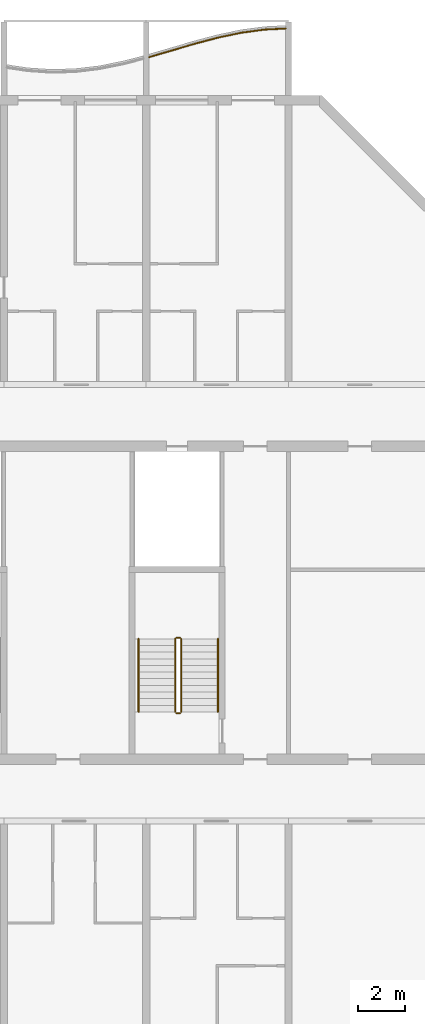
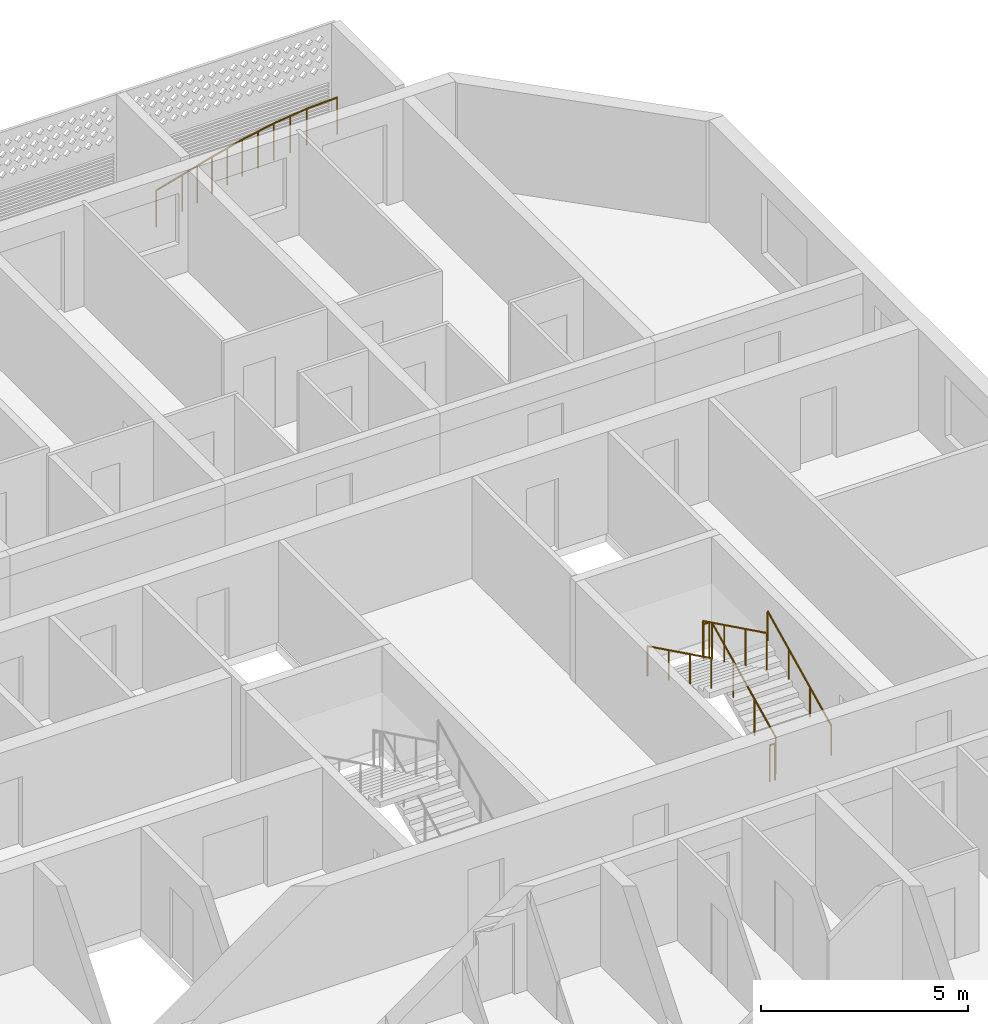
# One storey, part 31 of 32: 7 railings.
"""IFC4 building model written with IfcOpenShell, lengths in metres."""

from ifc_helpers import new_model, si_unit, direction, frame, origin, origin_2d, place, context, subcontext, project, spatial, circle, extrude, material, type_object, element, save


model = new_model("IFC4")

# Units and contexts
model_context = context("Model", 3, precision=1e-05, world=origin(), true_north=direction((0.0, 1.0)))
body_context = subcontext(model_context, "Body", "Model", "MODEL_VIEW")
ifc_project = project(units=[si_unit("LENGTHUNIT", "METRE"), si_unit("AREAUNIT", "SQUARE_METRE"), si_unit("VOLUMEUNIT", "CUBIC_METRE"), si_unit("PLANEANGLEUNIT", "RADIAN"), si_unit("MASSUNIT", "GRAM", prefix="KILO")], contexts=[model_context])

# Site, building, storey
site_placement = place(None, origin())
site = spatial("IfcSite", under=ifc_project, at=site_placement, CompositionType="ELEMENT")
building_placement = place(site_placement, origin())
building = spatial("IfcBuilding", under=site, at=building_placement, Name="Poui Terraces", CompositionType="ELEMENT")
storey_placement = place(building_placement, frame((0.0, 0.0, 155.39990234375)))
storey = spatial("IfcBuildingStorey", under=building, at=storey_placement, Name="L43", CompositionType="ELEMENT", Elevation=155.39990234375)

# Railings
ifc_material_1 = material(Name="Painted steel fretwork", Category="steel")
railing_type_1 = type_object("IfcRailingType", Name="BALCONY GUARD 1100", PredefinedType="GUARDRAIL", material=ifc_material_1)
railing_1_placement = place(storey_placement, frame((78.125, 44.2138671875, 0.0)))
element("IfcRailing", 1, at=railing_1_placement, inside=storey, type_object=railing_type_1, Name="BALCONY GUARD", PredefinedType="GUARDRAIL", context=body_context, shape_type="SweptSolid", body=[
    extrude(circle(Radius=0.02392578125, at=origin_2d()), frame((0.0, 0.0, 1.076171875), z_axis=(0.959663427085, 0.281151394654, 0.0), x_axis=(-0.281151394654, 0.959663427085, 0.0)), (0.0, 0.0, 1.0), 0.911865234375),
    extrude(circle(Radius=0.02392578125, at=origin_2d()), frame((0.875, 0.25634765625, 1.076171875), z_axis=(0.959346851742, 0.282229725671, 0.0), x_axis=(-0.282229725671, 0.959346851742, 0.0)), (0.0, 0.0, 1.0), 1.04248046875),
    extrude(circle(Radius=0.02392578125, at=origin_2d()), frame((1.875, 0.550537109375, 1.076171875), z_axis=(0.966367949348, 0.257163345896, 0.0), x_axis=(-0.257163345896, 0.966367949348, 0.0)), (0.0, 0.0, 1.0), 1.034912109375),
    extrude(circle(Radius=0.02392578125, at=origin_2d()), frame((2.875, 0.816650390625, 1.076171875), z_axis=(0.978372019246, 0.206853068522, 0.0), x_axis=(-0.206853068522, 0.978372019246, 0.0)), (0.0, 0.0, 1.0), 1.022216796875),
    extrude(circle(Radius=0.02392578125, at=origin_2d()), frame((3.875, 1.028076171875, 1.076171875), z_axis=(0.991104904979, 0.133082934018, 0.0), x_axis=(-0.133082934018, 0.991104904979, 0.0)), (0.0, 0.0, 1.0), 1.009033203125),
    extrude(circle(Radius=0.02392578125, at=origin_2d()), frame((4.875, 1.162353515625, 1.076171875), z_axis=(0.998768961938, 0.049604038846, 0.0), x_axis=(-0.049604038846, 0.998768961938, 0.0)), (0.0, 0.0, 1.0), 0.8759765625),
    extrude(circle(Radius=0.02099609375, at=origin_2d()), origin(), (0.0, 0.0, 1.0), 1.052001953125),
    extrude(circle(Radius=0.02099609375, at=origin_2d()), frame((0.875, 0.25634765625, 0.0)), (0.0, 0.0, 1.0), 1.052001953125),
    extrude(circle(Radius=0.02099609375, at=origin_2d()), frame((1.375, 0.4033203125, 0.0)), (0.0, 0.0, 1.0), 1.052001953125),
    extrude(circle(Radius=0.02099609375, at=origin_2d()), frame((1.875, 0.550537109375, 0.0)), (0.0, 0.0, 1.0), 1.052001953125),
    extrude(circle(Radius=0.02099609375, at=origin_2d()), frame((2.375, 0.68359375, 0.0)), (0.0, 0.0, 1.0), 1.052001953125),
    extrude(circle(Radius=0.02099609375, at=origin_2d()), frame((2.875, 0.816650390625, 0.0)), (0.0, 0.0, 1.0), 1.052001953125),
    extrude(circle(Radius=0.02099609375, at=origin_2d()), frame((3.375, 0.92236328125, 0.0)), (0.0, 0.0, 1.0), 1.052001953125),
    extrude(circle(Radius=0.02099609375, at=origin_2d()), frame((3.875, 1.028076171875, 0.0)), (0.0, 0.0, 1.0), 1.052001953125),
    extrude(circle(Radius=0.02099609375, at=origin_2d()), frame((4.375, 1.09521484375, 0.0)), (0.0, 0.0, 1.0), 1.052001953125),
    extrude(circle(Radius=0.02099609375, at=origin_2d()), frame((4.875, 1.162353515625, 0.0)), (0.0, 0.0, 1.0), 1.052001953125),
    extrude(circle(Radius=0.02099609375, at=origin_2d()), frame((5.75, 1.205810546875, 0.0)), (0.0, 0.0, 1.0), 1.052001953125),
])
ifc_material_2 = material(Name="Galvanised steel balustrade", Category="steel")
railing_type_2 = type_object("IfcRailingType", Name="STAIR GUARD 1100", PredefinedType="GUARDRAIL", material=ifc_material_2)
railing_2_placement = place(storey_placement, frame((79.47509765625, 16.60009765625, 0.1376953125)))
element("IfcRailing", 2, at=railing_2_placement, inside=storey, type_object=railing_type_2, Name="L43 ST-E stair guard 1", PredefinedType="GUARDRAIL", context=body_context, shape_type="SweptSolid", body=[
    extrude(circle(Radius=0.02392578125, at=origin_2d()), frame((0.0, 0.0, 1.076171875), z_axis=(0.0, 0.897606190399, 0.440798283751), x_axis=(-1.0, 0.0, 0.0)), (0.0, 0.0, 1.0), 3.43115234375),
    extrude(circle(Radius=0.02099609375, at=origin_2d()), origin(), (0.0, 0.0, 1.0), 1.052001953125),
    extrude(circle(Radius=0.02099609375, at=origin_2d()), frame((0.0, 1.026611328125, 0.504150390625)), (0.0, 0.0, 1.0), 1.052001953125),
    extrude(circle(Radius=0.02099609375, at=origin_2d()), frame((0.0, 2.05322265625, 1.00830078125)), (0.0, 0.0, 1.0), 1.052001953125),
    extrude(circle(Radius=0.02099609375, at=origin_2d()), frame((0.0, 3.079833984375, 1.512451171875)), (0.0, 0.0, 1.0), 1.052001953125),
])
railing_3_placement = place(storey_placement, frame((79.425048828125, 19.72998046875, 1.650146484375)))
element("IfcRailing", 3, at=railing_3_placement, inside=storey, type_object=railing_type_2, Name="L43 ST-E stair guard 2", PredefinedType="GUARDRAIL", context=body_context, shape_type="SweptSolid", body=[
    extrude(circle(Radius=0.02392578125, at=origin_2d()), frame((0.0, 0.0, 1.076171875), z_axis=(-1.0, 0.0, 0.0), x_axis=(0.0, -1.0, 0.0)), (0.0, 0.0, 1.0), 0.150146484375),
    extrude(circle(Radius=0.02099609375, at=origin_2d()), origin(), (0.0, 0.0, 1.0), 1.052001953125),
    extrude(circle(Radius=0.02099609375, at=origin_2d()), frame((-0.150146484375, 0.0, 0.0)), (0.0, 0.0, 1.0), 1.052001953125),
])
railing_4_placement = place(storey_placement, frame((79.22509765625, 19.679931640625, 1.78759765625)))
element("IfcRailing", 4, at=railing_4_placement, inside=storey, type_object=railing_type_2, Name="L43 ST-E stair guard 3", PredefinedType="GUARDRAIL", context=body_context, shape_type="SweptSolid", body=[
    extrude(circle(Radius=0.02392578125, at=origin_2d()), frame((0.0, 0.0, 1.076171875), z_axis=(0.0, -0.897606190399, 0.440798283751), x_axis=(1.0, 0.0, 0.0)), (0.0, 0.0, 1.0), 3.43115234375),
    extrude(circle(Radius=0.02099609375, at=origin_2d()), origin(), (0.0, 0.0, 1.0), 1.052001953125),
    extrude(circle(Radius=0.02099609375, at=origin_2d()), frame((0.0, -1.026611328125, 0.504150390625)), (0.0, 0.0, 1.0), 1.052001953125),
    extrude(circle(Radius=0.02099609375, at=origin_2d()), frame((0.0, -2.05322265625, 1.00830078125)), (0.0, 0.0, 1.0), 1.052001953125),
    extrude(circle(Radius=0.02099609375, at=origin_2d()), frame((0.0, -3.079833984375, 1.512451171875)), (0.0, 0.0, 1.0), 1.052001953125),
])
railing_5_placement = place(storey_placement, frame((79.425048828125, 16.550048828125, 0.0)))
element("IfcRailing", 5, at=railing_5_placement, inside=storey, type_object=railing_type_2, Name="L43 ST-E stair guard 4", PredefinedType="GUARDRAIL", context=body_context, shape_type="SweptSolid", body=[
    extrude(circle(Radius=0.02392578125, at=origin_2d()), frame((0.0, 0.0, 1.076171875), z_axis=(-1.0, 0.0, 0.0), x_axis=(0.0, -1.0, 0.0)), (0.0, 0.0, 1.0), 0.150146484375),
    extrude(circle(Radius=0.02099609375, at=origin_2d()), origin(), (0.0, 0.0, 1.0), 1.052001953125),
    extrude(circle(Radius=0.02099609375, at=origin_2d()), frame((-0.150146484375, 0.0, 0.0)), (0.0, 0.0, 1.0), 1.052001953125),
])
ifc_material_3 = material(Name="Stainless steel handrail", Category="steel")
railing_type_3 = type_object("IfcRailingType", Name="STAIR HANDRAIL 900", PredefinedType="HANDRAIL", material=ifc_material_3)
railing_6_placement = place(storey_placement, frame((81.02490234375, 16.60009765625, 0.1376953125)))
element("IfcRailing", 6, at=railing_6_placement, inside=storey, type_object=railing_type_3, Name="L43 ST-E stair handrail 1", PredefinedType="HANDRAIL", context=body_context, shape_type="SweptSolid", body=[
    extrude(circle(Radius=0.02392578125, at=origin_2d()), frame((0.0, 0.0, 0.8759765625), z_axis=(0.0, 0.897606190399, 0.440798283751), x_axis=(-1.0, 0.0, 0.0)), (0.0, 0.0, 1.0), 3.43115234375),
    extrude(circle(Radius=0.02099609375, at=origin_2d()), origin(), (0.0, 0.0, 1.0), 0.851806640625),
    extrude(circle(Radius=0.02099609375, at=origin_2d()), frame((0.0, 1.026611328125, 0.504150390625)), (0.0, 0.0, 1.0), 0.851806640625),
    extrude(circle(Radius=0.02099609375, at=origin_2d()), frame((0.0, 2.05322265625, 1.00830078125)), (0.0, 0.0, 1.0), 0.851806640625),
    extrude(circle(Radius=0.02099609375, at=origin_2d()), frame((0.0, 3.079833984375, 1.512451171875)), (0.0, 0.0, 1.0), 0.851806640625),
])
railing_7_placement = place(storey_placement, frame((77.675048828125, 19.679931640625, 1.78759765625)))
element("IfcRailing", 7, at=railing_7_placement, inside=storey, type_object=railing_type_3, Name="L43 ST-E stair handrail 2", PredefinedType="HANDRAIL", context=body_context, shape_type="SweptSolid", body=[
    extrude(circle(Radius=0.02392578125, at=origin_2d()), frame((0.0, 0.0, 0.8759765625), z_axis=(0.0, -0.897606190399, 0.440798283751), x_axis=(1.0, 0.0, 0.0)), (0.0, 0.0, 1.0), 3.43115234375),
    extrude(circle(Radius=0.02099609375, at=origin_2d()), origin(), (0.0, 0.0, 1.0), 0.851806640625),
    extrude(circle(Radius=0.02099609375, at=origin_2d()), frame((0.0, -1.026611328125, 0.504150390625)), (0.0, 0.0, 1.0), 0.851806640625),
    extrude(circle(Radius=0.02099609375, at=origin_2d()), frame((0.0, -2.05322265625, 1.00830078125)), (0.0, 0.0, 1.0), 0.851806640625),
    extrude(circle(Radius=0.02099609375, at=origin_2d()), frame((0.0, -3.079833984375, 1.512451171875)), (0.0, 0.0, 1.0), 0.851806640625),
])

save(model, "model.ifc")
